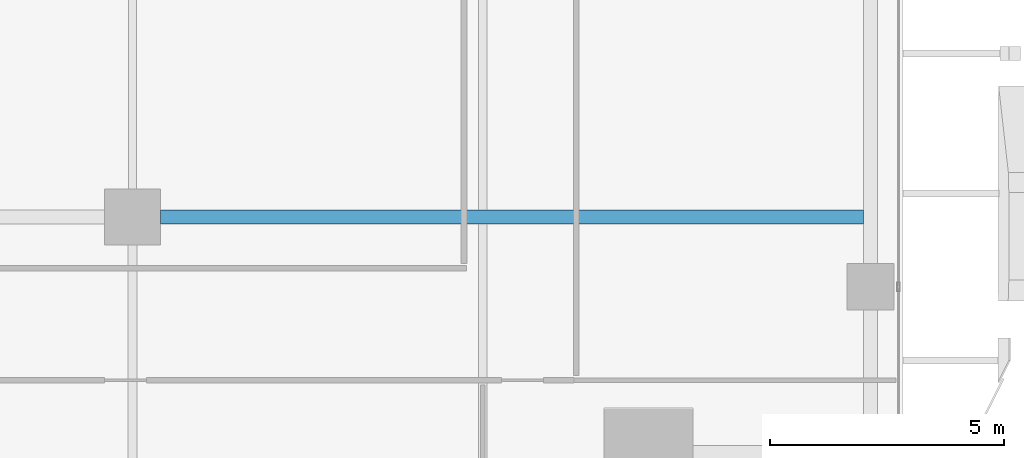
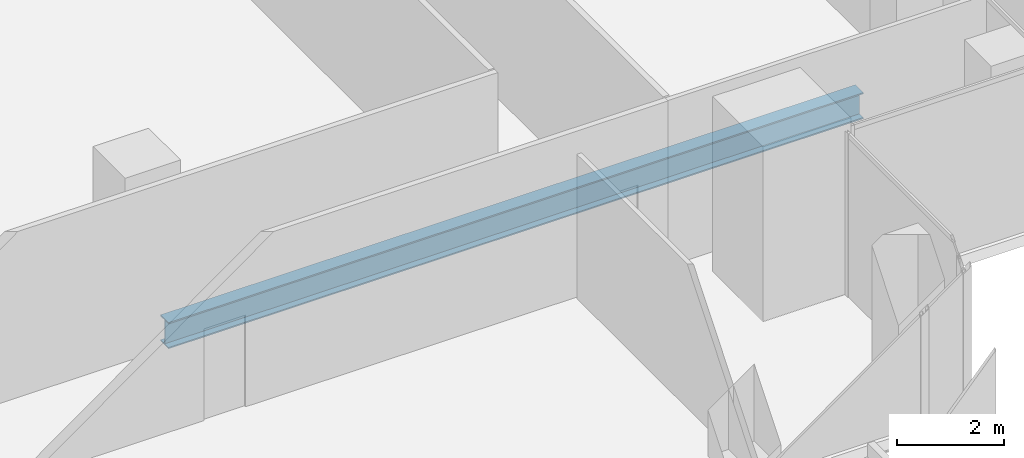
# One storey, part 10 of 35: 1 beam.
"""IFC4 building model written with IfcOpenShell, lengths in metres."""

from ifc_helpers import new_model, si_unit, direction, frame, origin, origin_2d, place, context, subcontext, project, spatial, i_section, extrude, source, transform, mapped, material, material_profile, profile_set, type_object, element, save


model = new_model("IFC4")

# Units and contexts
model_context = context("Model", 3, precision=1e-05, world=origin(), true_north=direction((0.0, 1.0)))
body_context = subcontext(model_context, "Body", "Model", "MODEL_VIEW")
ifc_project = project(units=[si_unit("LENGTHUNIT", "METRE"), si_unit("AREAUNIT", "SQUARE_METRE"), si_unit("VOLUMEUNIT", "CUBIC_METRE"), si_unit("PLANEANGLEUNIT", "RADIAN"), si_unit("MASSUNIT", "GRAM", prefix="KILO")], contexts=[model_context])

# Site, building, storey
site_placement = place(None, origin())
site = spatial("IfcSite", under=ifc_project, at=site_placement, CompositionType="ELEMENT")
building_placement = place(site_placement, origin())
building = spatial("IfcBuilding", under=site, at=building_placement, Name="Khomas Fold Tower", CompositionType="ELEMENT")
storey_placement = place(building_placement, frame((0.0, 0.0, 200.699951171875)))
storey = spatial("IfcBuildingStorey", under=building, at=storey_placement, Name="L44", CompositionType="ELEMENT", Elevation=200.699951171875)

# Beam
ifc_material = material(Name="Steel S355", Category="steel")
ifc_material_profile = material_profile(ifc_material, i_section(OverallWidth=0.300048828125, OverallDepth=0.60009765625, WebThickness=0.015380859375, FlangeThickness=0.030029296875, at=origin_2d()), Name="HE 600 B")
ifc_profile_set = profile_set([ifc_material_profile], Name="Steel S355")
beam_type = type_object("IfcBeamType", Name="HE 600 B beam GB5", PredefinedType="BEAM", material=ifc_profile_set)
shared_shape = source(origin(), body_context, "Body", "SweptSolid", [
    extrude(i_section(OverallWidth=0.300048828125, OverallDepth=0.60009765625, WebThickness=0.015380859375, FlangeThickness=0.030029296875, at=origin_2d()), origin(), (0.0, 0.0, 1.0), 15.0498046875),
])
beam_placement = place(storey_placement, frame((35.10009765625, 13.5, -0.550048828125), z_axis=(1.0, 0.0, 0.0), x_axis=(0.0, 1.0, 0.0)))
element("IfcBeam", 1, at=beam_placement, inside=storey, type_object=beam_type, Name="GB5", PredefinedType="BEAM", context=body_context, shape_type="MappedRepresentation", body=[
    mapped(shared_shape, transform((0.0, 0.0, 0.0))),
])

save(model, "model.ifc")
